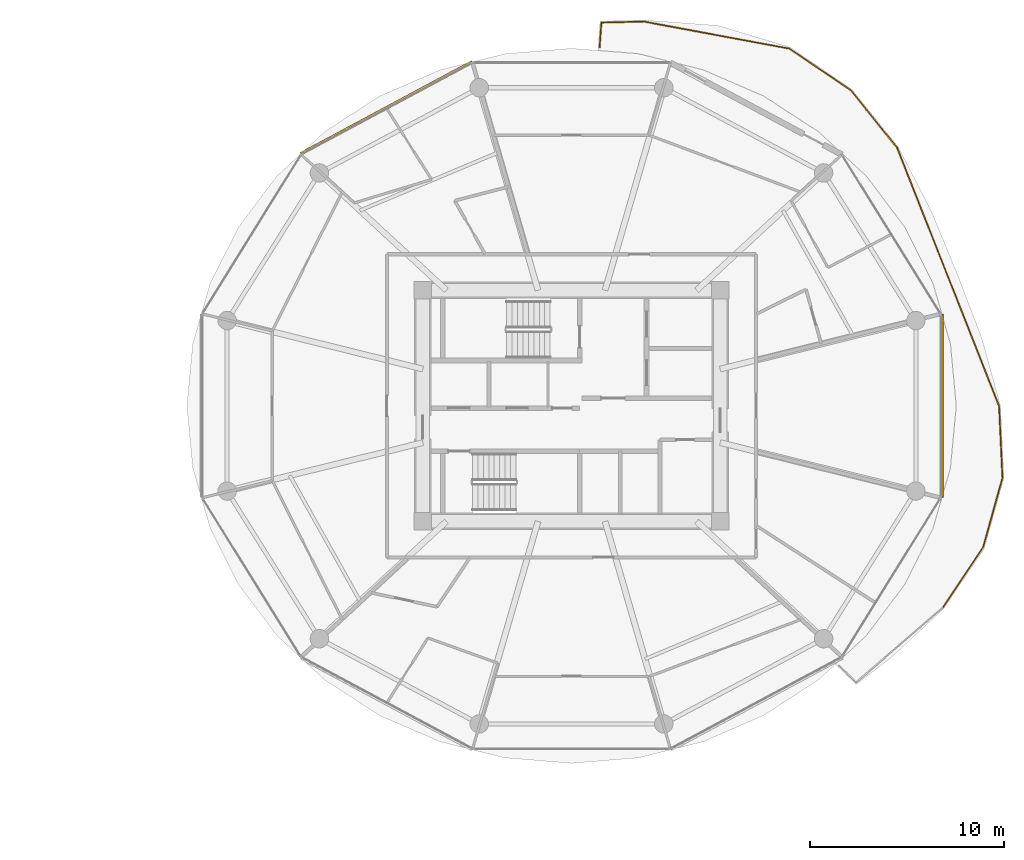
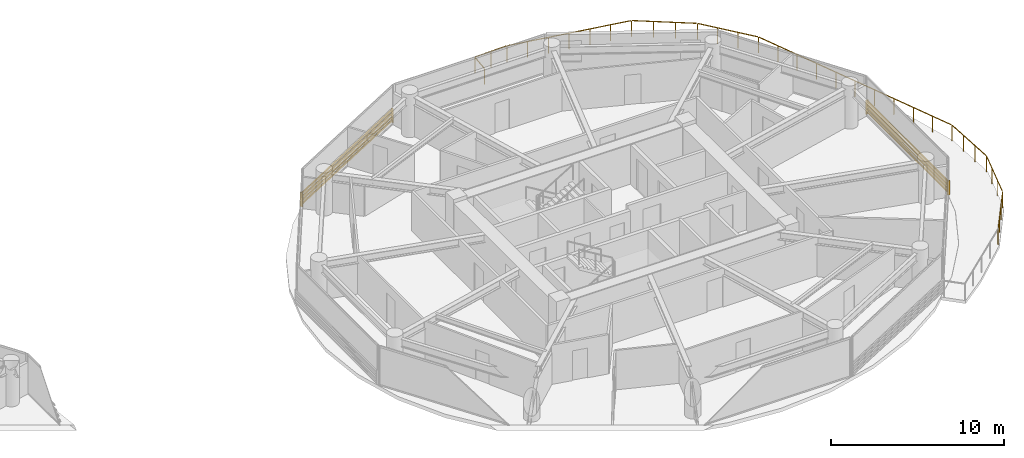
# One storey, part 27 of 27: 2 shading devices, 1 railing.
"""IFC4 building model written with IfcOpenShell, lengths in metres."""

from ifc_helpers import new_model, si_unit, direction, frame, origin, origin_2d, place, context, subcontext, project, spatial, rectangle, extrude, source, transform, mapped, material, type_object, type_shapes, element, save


model = new_model("IFC4")

# Units and contexts
model_context = context("Model", 3, precision=1e-05, world=origin(), true_north=direction((0.0, 1.0)))
body_context = subcontext(model_context, "Body", "Model", "MODEL_VIEW")
ifc_project = project(units=[si_unit("LENGTHUNIT", "METRE"), si_unit("AREAUNIT", "SQUARE_METRE"), si_unit("VOLUMEUNIT", "CUBIC_METRE"), si_unit("PLANEANGLEUNIT", "RADIAN"), si_unit("MASSUNIT", "GRAM", prefix="KILO")], contexts=[model_context])

# Site, building, storey
site_placement = place(None, origin())
site = spatial("IfcSite", under=ifc_project, at=site_placement, CompositionType="ELEMENT")
building_placement = place(site_placement, origin())
building = spatial("IfcBuilding", under=site, at=building_placement, Name="Norrkilde Senior Care Towers", CompositionType="ELEMENT")
storey_placement = place(building_placement, frame((0.0, 0.0, 46.0)))
storey = spatial("IfcBuildingStorey", under=building, at=storey_placement, Name="L13", CompositionType="ELEMENT", Elevation=46.0)

# Railing
ifc_material_1 = material(Name="Anodised Aluminium", Category="aluminium")
railing_type = type_object("IfcRailingType", Name="Balcony Swirl Ribbon Guardrail 1150", PredefinedType="GUARDRAIL", material=ifc_material_1)
railing_placement = place(storey_placement, frame((29.4453125, 18.463134765625, 0.0)))
element("IfcRailing", 1, at=railing_placement, inside=storey, type_object=railing_type, Name="L13 Perimeter Safety Guard 02", PredefinedType="GUARDRAIL", context=body_context, shape_type="SweptSolid", body=[
    extrude(rectangle(XDim=0.048095703125, YDim=0.048095703125, at=origin_2d()), frame((0.0, 0.0, 1.1259765625), z_axis=(0.073729495213, 0.997278276879, 0.0), x_axis=(-0.997278276879, 0.073729495213, 0.0)), (0.0, 0.0, 1.0), 1.22412109375),
    extrude(rectangle(XDim=0.048095703125, YDim=0.048095703125, at=origin_2d()), frame((0.134033203125, 1.262451171875, 1.1259765625), z_axis=(0.999697348289, 0.024601053314, 0.0), x_axis=(-0.024601053314, 0.999697348289, 0.0)), (0.0, 0.0, 1.0), 2.1015625),
    extrude(rectangle(XDim=0.048095703125, YDim=0.048095703125, at=origin_2d()), frame((2.316162109375, 1.3076171875, 1.1259765625), z_axis=(0.983136475436, -0.182873373313, 0.0), x_axis=(0.182873373313, 0.983136475436, 0.0)), (0.0, 0.0, 1.0), 7.5439453125),
    extrude(rectangle(XDim=0.048095703125, YDim=0.048095703125, at=origin_2d()), frame((9.806640625, -0.102294921875, 1.1259765625), z_axis=(0.826704640733, -0.562636149737, 0.0), x_axis=(0.562636149737, 0.826704640733, 0.0)), (0.0, 0.0, 1.0), 3.746826171875),
    extrude(rectangle(XDim=0.048095703125, YDim=0.048095703125, at=origin_2d()), frame((12.963623046875, -2.26513671875, 1.1259765625), z_axis=(0.626996045093, -0.77902243834, 0.0), x_axis=(0.77902243834, 0.626996045093, 0.0)), (0.0, 0.0, 1.0), 3.705078125),
    extrude(rectangle(XDim=0.048095703125, YDim=0.048095703125, at=origin_2d()), frame((15.327392578125, -5.221435546875, 1.1259765625), z_axis=(0.367287106347, -0.930107618242, 0.0), x_axis=(0.930107618242, 0.367287106347, 0.0)), (0.0, 0.0, 1.0), 14.20947265625),
    extrude(rectangle(XDim=0.048095703125, YDim=0.048095703125, at=origin_2d()), frame((20.563232421875, -18.5166015625, 1.1259765625), z_axis=(0.046505791741, -0.998918020327, 0.0), x_axis=(0.998918020327, 0.046505791741, 0.0)), (0.0, 0.0, 1.0), 3.619384765625),
    extrude(rectangle(XDim=0.048095703125, YDim=0.048095703125, at=origin_2d()), frame((20.722412109375, -22.212158203125, 1.1259765625), z_axis=(-0.268279667997, -0.963341071345, 0.0), x_axis=(0.963341071345, -0.268279667997, 0.0)), (0.0, 0.0, 1.0), 3.64111328125),
    extrude(rectangle(XDim=0.048095703125, YDim=0.048095703125, at=origin_2d()), frame((19.7119140625, -25.793212890625, 1.1259765625), z_axis=(-0.558254403791, -0.829669826285, 0.0), x_axis=(0.829669826285, -0.558254403791, 0.0)), (0.0, 0.0, 1.0), 3.69482421875),
    extrude(rectangle(XDim=0.0419921875, YDim=0.0419921875, at=origin_2d()), origin(), (0.0, 0.0, 1.0), 1.099853515625),
    extrude(rectangle(XDim=0.0419921875, YDim=0.0419921875, at=origin_2d()), frame((0.09326171875, 1.261474609375, 0.0)), (0.0, 0.0, 1.0), 1.099853515625),
    extrude(rectangle(XDim=0.0419921875, YDim=0.0419921875, at=origin_2d()), frame((1.1845703125, 1.288330078125, 0.0)), (0.0, 0.0, 1.0), 1.099853515625),
    extrude(rectangle(XDim=0.0419921875, YDim=0.0419921875, at=origin_2d()), frame((2.27587890625, 1.315185546875, 0.0)), (0.0, 0.0, 1.0), 1.099853515625),
    extrude(rectangle(XDim=0.0419921875, YDim=0.0419921875, at=origin_2d()), frame((3.525390625, 1.082763671875, 0.0)), (0.0, 0.0, 1.0), 1.099853515625),
    extrude(rectangle(XDim=0.0419921875, YDim=0.0419921875, at=origin_2d()), frame((4.77490234375, 0.850341796875, 0.0)), (0.0, 0.0, 1.0), 1.099853515625),
    extrude(rectangle(XDim=0.0419921875, YDim=0.0419921875, at=origin_2d()), frame((6.0244140625, 0.617919921875, 0.0)), (0.0, 0.0, 1.0), 1.099853515625),
    extrude(rectangle(XDim=0.0419921875, YDim=0.0419921875, at=origin_2d()), frame((7.27392578125, 0.385498046875, 0.0)), (0.0, 0.0, 1.0), 1.099853515625),
    extrude(rectangle(XDim=0.0419921875, YDim=0.0419921875, at=origin_2d()), frame((8.5234375, 0.153076171875, 0.0)), (0.0, 0.0, 1.0), 1.099853515625),
    extrude(rectangle(XDim=0.0419921875, YDim=0.0419921875, at=origin_2d()), frame((9.77294921875, -0.079345703125, 0.0)), (0.0, 0.0, 1.0), 1.099853515625),
    extrude(rectangle(XDim=0.0419921875, YDim=0.0419921875, at=origin_2d()), frame((10.827880859375, -0.79736328125, 0.0)), (0.0, 0.0, 1.0), 1.099853515625),
    extrude(rectangle(XDim=0.0419921875, YDim=0.0419921875, at=origin_2d()), frame((11.883056640625, -1.515380859375, 0.0)), (0.0, 0.0, 1.0), 1.099853515625),
    extrude(rectangle(XDim=0.0419921875, YDim=0.0419921875, at=origin_2d()), frame((12.93798828125, -2.2333984375, 0.0)), (0.0, 0.0, 1.0), 1.099853515625),
    extrude(rectangle(XDim=0.0419921875, YDim=0.0419921875, at=origin_2d()), frame((13.7294921875, -3.216796875, 0.0)), (0.0, 0.0, 1.0), 1.099853515625),
    extrude(rectangle(XDim=0.0419921875, YDim=0.0419921875, at=origin_2d()), frame((14.520751953125, -4.199951171875, 0.0)), (0.0, 0.0, 1.0), 1.099853515625),
    extrude(rectangle(XDim=0.0419921875, YDim=0.0419921875, at=origin_2d()), frame((15.312255859375, -5.183349609375, 0.0)), (0.0, 0.0, 1.0), 1.099853515625),
    extrude(rectangle(XDim=0.0419921875, YDim=0.0419921875, at=origin_2d()), frame((15.837158203125, -6.5126953125, 0.0)), (0.0, 0.0, 1.0), 1.099853515625),
    extrude(rectangle(XDim=0.0419921875, YDim=0.0419921875, at=origin_2d()), frame((16.362060546875, -7.841796875, 0.0)), (0.0, 0.0, 1.0), 1.099853515625),
    extrude(rectangle(XDim=0.0419921875, YDim=0.0419921875, at=origin_2d()), frame((16.886962890625, -9.171142578125, 0.0)), (0.0, 0.0, 1.0), 1.099853515625),
    extrude(rectangle(XDim=0.0419921875, YDim=0.0419921875, at=origin_2d()), frame((17.411865234375, -10.500244140625, 0.0)), (0.0, 0.0, 1.0), 1.099853515625),
    extrude(rectangle(XDim=0.0419921875, YDim=0.0419921875, at=origin_2d()), frame((17.936767578125, -11.82958984375, 0.0)), (0.0, 0.0, 1.0), 1.099853515625),
    extrude(rectangle(XDim=0.0419921875, YDim=0.0419921875, at=origin_2d()), frame((18.461669921875, -13.158935546875, 0.0)), (0.0, 0.0, 1.0), 1.099853515625),
    extrude(rectangle(XDim=0.0419921875, YDim=0.0419921875, at=origin_2d()), frame((18.986572265625, -14.488037109375, 0.0)), (0.0, 0.0, 1.0), 1.099853515625),
    extrude(rectangle(XDim=0.0419921875, YDim=0.0419921875, at=origin_2d()), frame((19.511474609375, -15.8173828125, 0.0)), (0.0, 0.0, 1.0), 1.099853515625),
    extrude(rectangle(XDim=0.0419921875, YDim=0.0419921875, at=origin_2d()), frame((20.036376953125, -17.146484375, 0.0)), (0.0, 0.0, 1.0), 1.099853515625),
    extrude(rectangle(XDim=0.0419921875, YDim=0.0419921875, at=origin_2d()), frame((20.561279296875, -18.475830078125, 0.0)), (0.0, 0.0, 1.0), 1.099853515625),
    extrude(rectangle(XDim=0.0419921875, YDim=0.0419921875, at=origin_2d()), frame((20.61865234375, -19.708251953125, 0.0)), (0.0, 0.0, 1.0), 1.099853515625),
    extrude(rectangle(XDim=0.0419921875, YDim=0.0419921875, at=origin_2d()), frame((20.676025390625, -20.9404296875, 0.0)), (0.0, 0.0, 1.0), 1.099853515625),
    extrude(rectangle(XDim=0.0419921875, YDim=0.0419921875, at=origin_2d()), frame((20.7333984375, -22.1728515625, 0.0)), (0.0, 0.0, 1.0), 1.099853515625),
    extrude(rectangle(XDim=0.0419921875, YDim=0.0419921875, at=origin_2d()), frame((20.400390625, -23.368408203125, 0.0)), (0.0, 0.0, 1.0), 1.099853515625),
    extrude(rectangle(XDim=0.0419921875, YDim=0.0419921875, at=origin_2d()), frame((20.067626953125, -24.563720703125, 0.0)), (0.0, 0.0, 1.0), 1.099853515625),
    extrude(rectangle(XDim=0.0419921875, YDim=0.0419921875, at=origin_2d()), frame((19.734619140625, -25.75927734375, 0.0)), (0.0, 0.0, 1.0), 1.099853515625),
    extrude(rectangle(XDim=0.0419921875, YDim=0.0419921875, at=origin_2d()), frame((19.03955078125, -26.79248046875, 0.0)), (0.0, 0.0, 1.0), 1.099853515625),
    extrude(rectangle(XDim=0.0419921875, YDim=0.0419921875, at=origin_2d()), frame((18.34423828125, -27.825439453125, 0.0)), (0.0, 0.0, 1.0), 1.099853515625),
    extrude(rectangle(XDim=0.0419921875, YDim=0.0419921875, at=origin_2d()), frame((17.649169921875, -28.858642578125, 0.0)), (0.0, 0.0, 1.0), 1.099853515625),
])

# Shading devices
ifc_material_2 = material(Name="Architectural Terracotta", Category="masonry")
shading_device_type = type_object("IfcShadingDeviceType", Name="Horizontal Terracotta Baguette Rack", PredefinedType="USERDEFINED", material=ifc_material_2)
shared_shape_1 = source(origin(), body_context, "Body", "SweptSolid", [
    extrude(rectangle(XDim=0.070068359375, YDim=0.110107421875, at=origin_2d()), frame((0.0, 0.090087890625, 0.125), z_axis=(1.0, 0.0, 0.0), x_axis=(0.0, 1.0, 0.0)), (0.0, 0.0, 1.0), 10.0107421875),
    extrude(rectangle(XDim=0.070068359375, YDim=0.110107421875, at=origin_2d()), frame((0.0, 0.090087890625, 0.375), z_axis=(1.0, 0.0, 0.0), x_axis=(0.0, 1.0, 0.0)), (0.0, 0.0, 1.0), 10.0107421875),
    extrude(rectangle(XDim=0.070068359375, YDim=0.110107421875, at=origin_2d()), frame((0.0, 0.090087890625, 0.625), z_axis=(1.0, 0.0, 0.0), x_axis=(0.0, 1.0, 0.0)), (0.0, 0.0, 1.0), 10.0107421875),
    extrude(rectangle(XDim=0.070068359375, YDim=0.110107421875, at=origin_2d()), frame((0.0, 0.090087890625, 0.875), z_axis=(1.0, 0.0, 0.0), x_axis=(0.0, 1.0, 0.0)), (0.0, 0.0, 1.0), 10.0107421875),
    extrude(rectangle(XDim=0.050048828125, YDim=0.1552734375, at=origin_2d()), frame((0.02490234375, 0.047607421875, 0.0)), (0.0, 0.0, 1.0), 1.0),
    extrude(rectangle(XDim=0.050048828125, YDim=0.1552734375, at=origin_2d()), frame((9.98583984375, 0.047607421875, 0.0)), (0.0, 0.0, 1.0), 1.0),
])
shading_device_1_placement = place(storey_placement, frame((14.084228515625, 12.926025390625, 0.080078125), z_axis=(0.0, 0.0, 1.0), x_axis=(0.881279875134, 0.472612428056, 0.0)))
element("IfcShadingDevice", 2, at=shading_device_1_placement, inside=storey, type_object=shading_device_type, Name="L13 Drum E Terracotta Baguette Screen 03", ObjectType="BAGUETTE", PredefinedType="USERDEFINED", context=body_context, shape_type="MappedRepresentation", body=[
    mapped(shared_shape_1, transform((0.0, 0.0, 0.0), x_axis=(1.0, 0.0, 0.0), y_axis=(0.0, 1.0, 0.0), z_axis=(0.0, 0.0, 1.0), scale=1.0)),
])
shared_shape_2 = source(origin(), body_context, "Body", "SweptSolid", [
    extrude(rectangle(XDim=0.070068359375, YDim=0.110107421875, at=origin_2d()), frame((0.0, 0.090087890625, 0.125), z_axis=(1.0, 0.0, 0.0), x_axis=(0.0, 1.0, 0.0)), (0.0, 0.0, 1.0), 9.46240234375),
    extrude(rectangle(XDim=0.070068359375, YDim=0.110107421875, at=origin_2d()), frame((0.0, 0.090087890625, 0.375), z_axis=(1.0, 0.0, 0.0), x_axis=(0.0, 1.0, 0.0)), (0.0, 0.0, 1.0), 9.46240234375),
    extrude(rectangle(XDim=0.070068359375, YDim=0.110107421875, at=origin_2d()), frame((0.0, 0.090087890625, 0.625), z_axis=(1.0, 0.0, 0.0), x_axis=(0.0, 1.0, 0.0)), (0.0, 0.0, 1.0), 9.46240234375),
    extrude(rectangle(XDim=0.070068359375, YDim=0.110107421875, at=origin_2d()), frame((0.0, 0.090087890625, 0.875), z_axis=(1.0, 0.0, 0.0), x_axis=(0.0, 1.0, 0.0)), (0.0, 0.0, 1.0), 9.46240234375),
    extrude(rectangle(XDim=0.050048828125, YDim=0.1552734375, at=origin_2d()), frame((0.02490234375, 0.047607421875, 0.0)), (0.0, 0.0, 1.0), 1.0),
    extrude(rectangle(XDim=0.050048828125, YDim=0.1552734375, at=origin_2d()), frame((9.4375, 0.047607421875, 0.0)), (0.0, 0.0, 1.0), 1.0),
])
type_shapes(shading_device_type, [shared_shape_1, shared_shape_2])
shading_device_2_placement = place(storey_placement, frame((47.009521484375, 4.731201171875, 0.080078125), z_axis=(0.0, 0.0, 1.0), x_axis=(0.0, -1.0, 0.0)))
element("IfcShadingDevice", 3, at=shading_device_2_placement, inside=storey, type_object=shading_device_type, Name="L13 Drum E Terracotta Baguette Screen 11", ObjectType="BAGUETTE", PredefinedType="USERDEFINED", context=body_context, shape_type="MappedRepresentation", body=[
    mapped(shared_shape_2, transform((0.0, 0.0, 0.0), x_axis=(1.0, 0.0, 0.0), y_axis=(0.0, 1.0, 0.0), z_axis=(0.0, 0.0, 1.0), scale=1.0)),
])

save(model, "model.ifc")
